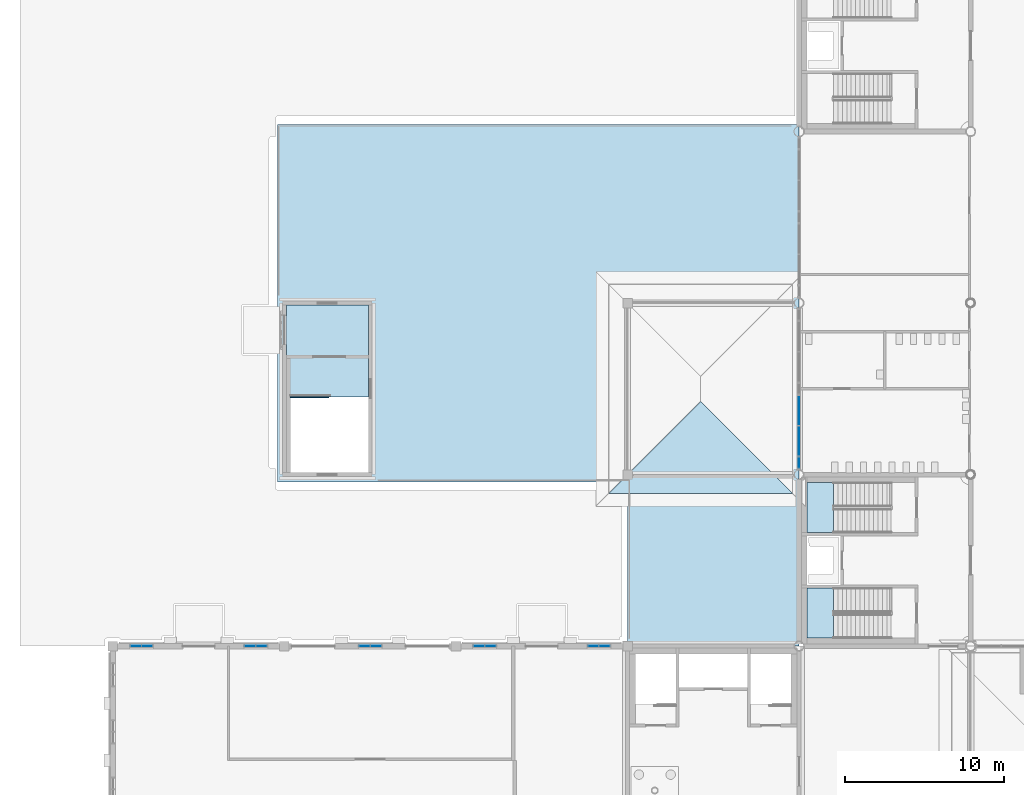
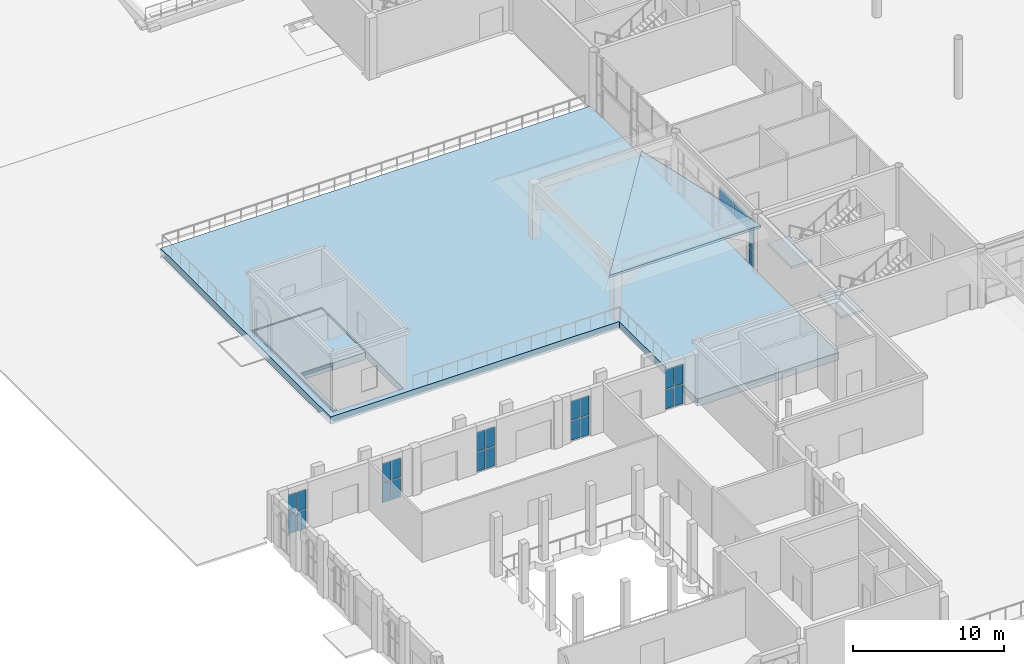
# One storey, part 34 of 91: 25 plates, 6 slabs, 9 elements without a shape of their own.
"""IFC4 building model written with IfcOpenShell, lengths in metres."""

import ifcopenshell
import ifcopenshell.guid

model = None  # the IFC model being written
_history = None  # IfcOwnerHistory: only IFC2X3 demands one
_inside = {}  # id of a spatial element -> (the spatial element, [elements in it])
_under = {}  # id of a project, library or spatial element -> (it, [spatial elements below it])
_declared = {}  # id of a project -> (the project, [libraries it declares])
_typed = {}  # id of a type object -> (the type object, [elements of that type])
_made_of = {}  # id of a material, layer set ... -> (it, [elements and type objects made of it])


def new_model(schema):
    """Start an empty IFC model of exactly this schema.

    Asked for "IFC4X3", IfcOpenShell would pick the latest addendum, in which some entities
    have other attributes; the version numbers below select the first issue.
    IFC2X3 requires an IfcOwnerHistory on every rooted entity: one is made here for all.
    """
    global model, _history
    if schema == "IFC4X3":
        model = ifcopenshell.file(schema_version=(4, 3, 0, 0))
    else:
        model = ifcopenshell.file(schema=schema)
    _inside.clear()
    _under.clear()
    _declared.clear()
    _typed.clear()
    _made_of.clear()
    _history = None
    if model.schema == "IFC2X3":
        org = make("IfcOrganization", Name="unknown")
        user = make(
            "IfcPersonAndOrganization",
            ThePerson=make("IfcPerson", FamilyName="unknown"),
            TheOrganization=org,
        )
        app = make(
            "IfcApplication",
            ApplicationDeveloper=org,
            Version="unknown",
            ApplicationFullName="unknown",
            ApplicationIdentifier="unknown",
        )
        _history = make(
            "IfcOwnerHistory",
            OwningUser=user,
            OwningApplication=app,
            ChangeAction="ADDED",
            CreationDate=0,
        )
    return model


def make(cls, **values):
    """One entity of the class cls with the attributes given. An attribute that is None is left unset."""
    return model.create_entity(
        cls, **{name: value for name, value in values.items() if value is not None}
    )


def rooted(cls, **values):
    """An entity with a GlobalId (a new one), such as an element, a storey or a relation."""
    return make(cls, GlobalId=ifcopenshell.guid.new(), OwnerHistory=_history, **values)


def si_unit(unit_type, name, prefix=None):
    """IfcSIUnit, for example si_unit("LENGTHUNIT", "METRE", prefix="MILLI")."""
    return make("IfcSIUnit", UnitType=unit_type, Prefix=prefix, Name=name)


def assignment(units):
    """IfcUnitAssignment: the units of a project."""
    return None if units is None else make("IfcUnitAssignment", Units=units)


def point(xyz):
    """IfcCartesianPoint."""
    return None if xyz is None else make("IfcCartesianPoint", Coordinates=xyz)


def direction(xyz):
    """IfcDirection."""
    return None if xyz is None else make("IfcDirection", DirectionRatios=xyz)


def frame(location, z_axis=None, x_axis=None):
    """IfcAxis2Placement3D, a coordinate frame: its origin and axes. An axis left out is left unset."""
    return make(
        "IfcAxis2Placement3D",
        Location=point(location),
        Axis=direction(z_axis),
        RefDirection=direction(x_axis),
    )


def frame_2d(location, x_axis=None):
    """IfcAxis2Placement2D, a coordinate frame in the plane: its origin and x axis."""
    return make(
        "IfcAxis2Placement2D", Location=point(location), RefDirection=direction(x_axis)
    )


def origin():
    """The frame at (0, 0, 0) with its axes left unset."""
    return frame((0.0, 0.0, 0.0))


def origin_2d():
    """The frame at (0, 0) in the plane with its x axis left unset."""
    return frame_2d((0.0, 0.0))


def place(relative_to, where):
    """IfcLocalPlacement: puts the frame where relative to a parent placement (None: the world)."""
    return make(
        "IfcLocalPlacement", PlacementRelTo=relative_to, RelativePlacement=where
    )


def context(
    kind, dimensions, precision=None, world=None, true_north=None, identifier=None
):
    """IfcGeometricRepresentationContext, for example the 3D "Model" context."""
    return make(
        "IfcGeometricRepresentationContext",
        ContextIdentifier=identifier,
        ContextType=kind,
        CoordinateSpaceDimension=dimensions,
        Precision=precision,
        WorldCoordinateSystem=world,
        TrueNorth=true_north,
    )


def subcontext(parent, identifier, kind, view, scale=None):
    """IfcGeometricRepresentationSubContext, for example "Body" below "Model"."""
    return make(
        "IfcGeometricRepresentationSubContext",
        ContextIdentifier=identifier,
        ContextType=kind,
        ParentContext=parent,
        TargetScale=scale,
        TargetView=view,
    )


def project(units=None, contexts=None):
    """IfcProject with its units and contexts."""
    return rooted(
        "IfcProject",
        Name="project",
        RepresentationContexts=contexts,
        UnitsInContext=assignment(units),
    )


def spatial(cls, under=None, at=None, **own):
    """A site, building, storey or space (cls), placed at a placement, below another one or the project."""
    s = rooted(cls, ObjectPlacement=at, **own)
    if under is not None:
        _under.setdefault(under.id(), (under, []))[1].append(s)
    return s


def polyline(points):
    """IfcPolyline through the points."""
    return make("IfcPolyline", Points=[point(p) for p in points])


def profile(cls, at=None, kind="AREA", **sizes):
    """A parametric profile (cls). Its sizes go by their IFC names, for example OverallWidth=200.0."""
    return make(cls, ProfileType=kind, Position=at, **sizes)


def rectangle(**sizes):
    """IfcRectangleProfileDef."""
    return profile("IfcRectangleProfileDef", **sizes)


def outline(outer, holes=None, kind="AREA"):
    """IfcArbitraryClosedProfileDef: a profile drawn as a closed curve; with holes, ...WithVoids."""
    if holes is None:
        return make("IfcArbitraryClosedProfileDef", ProfileType=kind, OuterCurve=outer)
    return make(
        "IfcArbitraryProfileDefWithVoids",
        ProfileType=kind,
        OuterCurve=outer,
        InnerCurves=holes,
    )


def extrude(swept, where, along, depth):
    """IfcExtrudedAreaSolid: the profile swept, set in the frame where, extruded along a direction by depth."""
    return make(
        "IfcExtrudedAreaSolid",
        SweptArea=swept,
        Position=where,
        ExtrudedDirection=direction(along),
        Depth=depth,
    )


def shape(context_of_items, identifier, shape_type, items):
    """IfcShapeRepresentation: the items that make up one representation, for example the "Body"."""
    return make(
        "IfcShapeRepresentation",
        ContextOfItems=context_of_items,
        RepresentationIdentifier=identifier,
        RepresentationType=shape_type,
        Items=items,
    )


def material(Name=None, Category=None):
    """IfcMaterial."""
    return make("IfcMaterial", Name=Name, Category=Category)


def layer(
    of_material, thickness, ventilated=None, Name=None, Category=None, Priority=None
):
    """IfcMaterialLayer: one layer of a wall or slab, of a material (None: an air gap)."""
    return make(
        "IfcMaterialLayer",
        Material=of_material,
        LayerThickness=thickness,
        IsVentilated=ventilated,
        Name=Name,
        Category=Category,
        Priority=Priority,
    )


def layer_set(layers, Name=None):
    """IfcMaterialLayerSet."""
    return make("IfcMaterialLayerSet", MaterialLayers=layers, LayerSetName=Name)


def made_of(thing, what):
    """Note that an element or type object is made of a material, layer set ...; save() writes the relation."""
    if what is not None:
        _made_of.setdefault(what.id(), (what, []))[1].append(thing)
    return thing


def type_object(cls, material=None, **own):
    """A type object (cls), such as IfcWallType, which elements share."""
    return made_of(rooted(cls, **own), material)


def element(
    cls,
    number,
    at=None,
    inside=None,
    cuts=None,
    type_object=None,
    material=None,
    context=None,
    identifier="Body",
    shape_type=None,
    held_by="IfcProductDefinitionShape",
    body=None,
    shapes=None,
    **own,
):
    """One element of the class cls, such as IfcWall. Its Tag is "e" and its number.

    at: its placement. inside: the storey or other place that contains it. cuts: it is an
    opening in that element (IfcRelVoidsElement). A single representation is given by context,
    identifier, shape_type and body (its items); several are given by shapes. held_by: the class
    of the entity that holds the representations. save() writes the other relations.
    """
    e = rooted(cls, Tag="e%d" % number, ObjectPlacement=at, **own)
    if body is not None:
        shapes = [shape(context, identifier, shape_type, body)]
    if shapes is not None:
        e.Representation = make(held_by, Representations=shapes)
    if inside is not None:
        _inside.setdefault(inside.id(), (inside, []))[1].append(e)
    if cuts is not None:
        rooted(
            "IfcRelVoidsElement", RelatingBuildingElement=cuts, RelatedOpeningElement=e
        )
    if type_object is not None:
        _typed.setdefault(type_object.id(), (type_object, []))[1].append(e)
    return made_of(e, material)


def aggregate(whole, parts):
    """IfcRelAggregates: a whole, such as a stair, and the parts it consists of."""
    return rooted("IfcRelAggregates", RelatingObject=whole, RelatedObjects=parts)


def save(model, path):
    """Write the relations noted so far, then the file.

    IfcRelAggregates (storeys below a building ...), IfcRelContainedInSpatialStructure (elements
    in a storey), IfcRelDefinesByType, IfcRelAssociatesMaterial and IfcRelDeclares: one each for
    every whole, place, type object, material and project.
    """
    for whole, parts in _under.values():
        aggregate(whole, parts)
    for where, things in _inside.values():
        rooted(
            "IfcRelContainedInSpatialStructure",
            RelatedElements=things,
            RelatingStructure=where,
        )
    for kind, things in _typed.values():
        rooted("IfcRelDefinesByType", RelatedObjects=things, RelatingType=kind)
    for what, things in _made_of.values():
        rooted("IfcRelAssociatesMaterial", RelatedObjects=things, RelatingMaterial=what)
    for by, libraries in _declared.values():
        rooted("IfcRelDeclares", RelatingContext=by, RelatedDefinitions=libraries)
    model.write(path)


model = new_model("IFC4")

# Units and contexts
model_context = context("Model", 3, precision=1e-05, world=origin(), true_north=direction((0.0, 1.0)))
body_context = subcontext(model_context, "Body", "Model", "MODEL_VIEW")
ifc_project = project(units=[si_unit("LENGTHUNIT", "METRE"), si_unit("AREAUNIT", "SQUARE_METRE"), si_unit("VOLUMEUNIT", "CUBIC_METRE"), si_unit("PLANEANGLEUNIT", "RADIAN"), si_unit("MASSUNIT", "GRAM", prefix="KILO")], contexts=[model_context])

# Site, building, storey
site_placement = place(None, origin())
site = spatial("IfcSite", under=ifc_project, at=site_placement, CompositionType="ELEMENT")
building_placement = place(site_placement, origin())
building = spatial("IfcBuilding", under=site, at=building_placement, Name="Magnolia Steps Interchange", CompositionType="ELEMENT")
storey_placement = place(building_placement, origin())
storey = spatial("IfcBuildingStorey", under=building, at=storey_placement, Name="L00", CompositionType="ELEMENT", Elevation=0.0)

# Slabs
ifc_material_1 = material(Name="Concrete C35", Category="concrete")
ifc_layer_1 = layer(ifc_material_1, 0.199951171875)
ifc_layer_set_1 = layer_set([ifc_layer_1], Name="Core floor nib 200")
slab_type_1 = type_object("IfcSlabType", Name="Core floor nib 200", PredefinedType="FLOOR", material=ifc_layer_set_1)
slab_1_placement = place(storey_placement, frame((0.0, 0.0, -0.199951171875)))
element("IfcSlab", 1, at=slab_1_placement, inside=storey, type_object=slab_type_1, Name="L00 core floor nib BE-W", PredefinedType="FLOOR", context=body_context, shape_type="SweptSolid", body=[
    extrude(outline(polyline([(23.574951171875, 58.14501953125), (23.574951171875, 58.02490234375), (21.175048828125, 58.02490234375), (21.175048828125, 58.14501953125), (23.574951171875, 58.14501953125)])), origin(), (0.0, 0.0, 1.0), 0.199951171875),
])
ifc_material_2 = material(Name="Concrete C35", Category="concrete")
ifc_layer_2 = layer(ifc_material_2, 0.60009765625)
ifc_layer_set_2 = layer_set([ifc_layer_2], Name="Core floor slab 600")
slab_type_2 = type_object("IfcSlabType", Name="Core floor slab 600", PredefinedType="FLOOR", material=ifc_layer_set_2)
slab_2_placement = place(storey_placement, frame((0.0, 0.0, -0.60009765625)))
element("IfcSlab", 2, at=slab_2_placement, inside=storey, type_object=slab_type_2, Name="L00 core floor BE-W", PredefinedType="FLOOR", context=body_context, shape_type="SweptSolid", body=[
    extrude(outline(polyline([(20.925048828125, 63.875), (26.074951171875, 63.875), (26.074951171875, 58.074951171875), (23.574951171875, 58.074951171875), (23.574951171875, 58.14501953125), (21.175048828125, 58.14501953125), (21.175048828125, 53.324951171875), (20.925048828125, 53.324951171875), (20.925048828125, 63.875)])), origin(), (0.0, 0.0, 1.0), 0.60009765625),
])

# Stair, slab
ifc_material_3 = material(Name="Concrete C40", Category="concrete")
stair_type = type_object("IfcStairType", Name="Exit stair 1500", PredefinedType="HALF_TURN_STAIR", material=ifc_material_3)
stair_1_placement = place(storey_placement, origin())
stair_1 = element("IfcStair", 3, at=stair_1_placement, inside=storey, type_object=stair_type, Name="L00 Stair 5", PredefinedType="HALF_TURN_STAIR")
ifc_material_4 = material(Name="Concrete C40", Category="concrete")
ifc_layer_3 = layer(ifc_material_4, 0.199951171875)
ifc_layer_set_3 = layer_set([ifc_layer_3], Name="Exit stair landing 200")
slab_type_3 = type_object("IfcSlabType", Name="Exit stair landing 200", PredefinedType="LANDING", material=ifc_layer_set_3)
slab_3_placement = place(storey_placement, frame((0.0, 0.0, 2.199951171875)))
slab_3 = element("IfcSlab", 4, at=slab_3_placement, type_object=slab_type_3, Name="Stair 5 landing 1", PredefinedType="LANDING", context=body_context, shape_type="SweptSolid", body=[
    extrude(outline(polyline([(55.360107421875, 46.050048828125), (53.699951171875, 46.050048828125), (53.699951171875, 42.89990234375), (55.360107421875, 42.89990234375), (55.360107421875, 46.050048828125)])), origin(), (0.0, 0.0, 1.0), 0.199951171875),
])
aggregate(stair_1, [slab_3])

stair_2_placement = place(storey_placement, origin())
stair_2 = element("IfcStair", 5, at=stair_2_placement, inside=storey, type_object=stair_type, Name="L00 Stair 6", PredefinedType="HALF_TURN_STAIR")
slab_4_placement = place(storey_placement, frame((0.0, 0.0, 2.199951171875)))
slab_4 = element("IfcSlab", 6, at=slab_4_placement, type_object=slab_type_3, Name="Stair 6 landing 1", PredefinedType="LANDING", context=body_context, shape_type="SweptSolid", body=[
    extrude(outline(polyline([(55.360107421875, 52.699951171875), (53.699951171875, 52.699951171875), (53.699951171875, 49.550048828125), (55.360107421875, 49.550048828125), (55.360107421875, 52.699951171875)])), origin(), (0.0, 0.0, 1.0), 0.199951171875),
])
aggregate(stair_2, [slab_4])

# Slab
ifc_material_5 = material(Name="Concrete C40", Category="concrete")
ifc_layer_4 = layer(ifc_material_5, 0.60009765625)
ifc_layer_set_4 = layer_set([ifc_layer_4], Name="Floor slab 600")
slab_type_4 = type_object("IfcSlabType", Name="Floor slab 600", PredefinedType="FLOOR", material=ifc_layer_set_4)
slab_5_placement = place(storey_placement, frame((0.0, 0.0, -0.60009765625)))
element("IfcSlab", 7, at=slab_5_placement, inside=storey, type_object=slab_type_4, Name="Plinth slab", PredefinedType="FLOOR", context=body_context, shape_type="SweptSolid", body=[
    extrude(outline(polyline([(42.39990234375, 42.39990234375), (53.199951171875, 42.39990234375), (53.199951171875, 75.25), (20.35009765625, 75.25), (20.35009765625, 52.75), (42.39990234375, 52.75), (42.39990234375, 42.39990234375)]), holes=[polyline([(20.800048828125, 64.0), (20.800048828125, 53.199951171875), (26.199951171875, 53.199951171875), (26.199951171875, 64.0), (20.800048828125, 64.0)])]), origin(), (0.0, 0.0, 1.0), 0.60009765625),
])

# Curtain wall, plates
ifc_material_6 = material(Name="Powder-coated aluminium and glass", Category="aluminium")
ifc_layer_5 = layer(ifc_material_6, 0.14990234375)
ifc_layer_set_5 = layer_set([ifc_layer_5], Name="Glazed hall curtain wall")
curtain_wall_type_1 = type_object("IfcCurtainWallType", Name="Glazed hall curtain wall", PredefinedType="NOTDEFINED", material=ifc_layer_set_5)
curtain_wall_1_placement = place(storey_placement, origin())
curtain_wall_1 = element("IfcCurtainWall", 8, at=curtain_wall_1_placement, inside=storey, type_object=curtain_wall_type_1, Name="Hall glazing W2a L00", PredefinedType="NOTDEFINED")
ifc_material_7 = material(Name="Laminated glass", Category="glass")
ifc_layer_6 = layer(ifc_material_7, 0.028076171875)
ifc_layer_set_6 = layer_set([ifc_layer_6], Name="Glass panel 28")
plate_type = type_object("IfcPlateType", Name="Glass panel 28", PredefinedType="CURTAIN_PANEL", material=ifc_layer_set_6)
plate_1_placement = place(storey_placement, frame((53.199951171875, 53.93994140625, 0.06005859375), z_axis=(0.0, 0.0, 1.0), x_axis=(0.0, 1.0, 0.0)))
plate_1 = element("IfcPlate", 9, at=plate_1_placement, type_object=plate_type, Name="CW1 panel 1.1", PredefinedType="CURTAIN_PANEL", context=body_context, shape_type="SweptSolid", body=[
    extrude(rectangle(XDim=0.639892578125, YDim=0.028076171875, at=origin_2d()), origin(), (0.0, 0.0, 1.0), 1.2099609375),
])
plate_2_placement = place(storey_placement, frame((53.199951171875, 53.93994140625, 1.330078125), z_axis=(0.0, 0.0, 1.0), x_axis=(0.0, 1.0, 0.0)))
plate_2 = element("IfcPlate", 10, at=plate_2_placement, type_object=plate_type, Name="CW1 panel 1.2", PredefinedType="CURTAIN_PANEL", context=body_context, shape_type="SweptSolid", body=[
    extrude(rectangle(XDim=0.639892578125, YDim=0.028076171875, at=origin_2d()), origin(), (0.0, 0.0, 1.0), 1.239990234375),
])
plate_3_placement = place(storey_placement, frame((53.199951171875, 53.93994140625, 2.630126953125), z_axis=(0.0, 0.0, 1.0), x_axis=(0.0, 1.0, 0.0)))
plate_3 = element("IfcPlate", 11, at=plate_3_placement, type_object=plate_type, Name="CW1 panel 1.3", PredefinedType="CURTAIN_PANEL", context=body_context, shape_type="SweptSolid", body=[
    extrude(rectangle(XDim=0.639892578125, YDim=0.028076171875, at=origin_2d()), origin(), (0.0, 0.0, 1.0), 1.2099609375),
])
aggregate(curtain_wall_1, [plate_1, plate_2, plate_3])

curtain_wall_2_placement = place(storey_placement, origin())
curtain_wall_2 = element("IfcCurtainWall", 12, at=curtain_wall_2_placement, inside=storey, type_object=curtain_wall_type_1, Name="Hall entrance fanlight W2-1", PredefinedType="NOTDEFINED")
plate_4_placement = place(storey_placement, frame((53.199951171875, 55.31005859375, 2.66015625), z_axis=(0.0, 0.0, 1.0), x_axis=(0.0, 1.0, 0.0)))
plate_4 = element("IfcPlate", 13, at=plate_4_placement, type_object=plate_type, Name="CW1 panel 1.1", PredefinedType="CURTAIN_PANEL", context=body_context, shape_type="SweptSolid", body=[
    extrude(rectangle(XDim=1.860107421875, YDim=0.028076171875, at=origin_2d()), origin(), (0.0, 0.0, 1.0), 1.179931640625),
])
plate_5_placement = place(storey_placement, frame((53.199951171875, 57.22998046875, 2.66015625), z_axis=(0.0, 0.0, 1.0), x_axis=(0.0, 1.0, 0.0)))
plate_5 = element("IfcPlate", 14, at=plate_5_placement, type_object=plate_type, Name="CW1 panel 2.1", PredefinedType="CURTAIN_PANEL", context=body_context, shape_type="SweptSolid", body=[
    extrude(rectangle(XDim=1.860107421875, YDim=0.028076171875, at=origin_2d()), origin(), (0.0, 0.0, 1.0), 1.179931640625),
])
aggregate(curtain_wall_2, [plate_4, plate_5])

ifc_material_8 = material(Name="Timber-framed glazing", Category="wood")
ifc_layer_7 = layer(ifc_material_8, 0.139892578125)
ifc_layer_set_7 = layer_set([ifc_layer_7], Name="Cycle hub shopfront curtain wall")
curtain_wall_type_2 = type_object("IfcCurtainWallType", Name="Cycle hub shopfront curtain wall", PredefinedType="NOTDEFINED", material=ifc_layer_set_7)
curtain_wall_3_placement = place(storey_placement, origin())
curtain_wall_3 = element("IfcCurtainWall", 15, at=curtain_wall_3_placement, inside=storey, type_object=curtain_wall_type_2, Name="Cycle hub north wall L00 glazing 2", PredefinedType="NOTDEFINED")
plate_6_placement = place(storey_placement, frame((11.43994140625, 42.39990234375, 0.06005859375), z_axis=(0.0, 0.0, 1.0), x_axis=(1.0, 0.0, 0.0)))
plate_6 = element("IfcPlate", 16, at=plate_6_placement, type_object=plate_type, Name="CW7 panel 1.1", PredefinedType="CURTAIN_PANEL", context=body_context, shape_type="SweptSolid", body=[
    extrude(rectangle(XDim=0.659912109375, YDim=0.028076171875, at=origin_2d()), origin(), (0.0, 0.0, 1.0), 1.56005859375),
])
plate_7_placement = place(storey_placement, frame((11.43994140625, 42.39990234375, 1.679931640625), z_axis=(0.0, 0.0, 1.0), x_axis=(1.0, 0.0, 0.0)))
plate_7 = element("IfcPlate", 17, at=plate_7_placement, type_object=plate_type, Name="CW7 panel 1.2", PredefinedType="CURTAIN_PANEL", context=body_context, shape_type="SweptSolid", body=[
    extrude(rectangle(XDim=0.659912109375, YDim=0.028076171875, at=origin_2d()), origin(), (0.0, 0.0, 1.0), 1.56005859375),
])
plate_8_placement = place(storey_placement, frame((12.159912109375, 42.39990234375, 0.06005859375), z_axis=(0.0, 0.0, 1.0), x_axis=(1.0, 0.0, 0.0)))
plate_8 = element("IfcPlate", 18, at=plate_8_placement, type_object=plate_type, Name="CW7 panel 2.1", PredefinedType="CURTAIN_PANEL", context=body_context, shape_type="SweptSolid", body=[
    extrude(rectangle(XDim=0.659912109375, YDim=0.028076171875, at=origin_2d()), origin(), (0.0, 0.0, 1.0), 1.56005859375),
])
plate_9_placement = place(storey_placement, frame((12.159912109375, 42.39990234375, 1.679931640625), z_axis=(0.0, 0.0, 1.0), x_axis=(1.0, 0.0, 0.0)))
plate_9 = element("IfcPlate", 19, at=plate_9_placement, type_object=plate_type, Name="CW7 panel 2.2", PredefinedType="CURTAIN_PANEL", context=body_context, shape_type="SweptSolid", body=[
    extrude(rectangle(XDim=0.659912109375, YDim=0.028076171875, at=origin_2d()), origin(), (0.0, 0.0, 1.0), 1.56005859375),
])
aggregate(curtain_wall_3, [plate_6, plate_7, plate_8, plate_9])

curtain_wall_4_placement = place(storey_placement, origin())
curtain_wall_4 = element("IfcCurtainWall", 20, at=curtain_wall_4_placement, inside=storey, type_object=curtain_wall_type_2, Name="Cycle hub north wall L00 glazing 4", PredefinedType="NOTDEFINED")
plate_10_placement = place(storey_placement, frame((18.639892578125, 42.39990234375, 0.06005859375), z_axis=(0.0, 0.0, 1.0), x_axis=(1.0, 0.0, 0.0)))
plate_10 = element("IfcPlate", 21, at=plate_10_placement, type_object=plate_type, Name="CW7 panel 1.1", PredefinedType="CURTAIN_PANEL", context=body_context, shape_type="SweptSolid", body=[
    extrude(rectangle(XDim=0.659912109375, YDim=0.028076171875, at=origin_2d()), origin(), (0.0, 0.0, 1.0), 1.56005859375),
])
plate_11_placement = place(storey_placement, frame((18.639892578125, 42.39990234375, 1.679931640625), z_axis=(0.0, 0.0, 1.0), x_axis=(1.0, 0.0, 0.0)))
plate_11 = element("IfcPlate", 22, at=plate_11_placement, type_object=plate_type, Name="CW7 panel 1.2", PredefinedType="CURTAIN_PANEL", context=body_context, shape_type="SweptSolid", body=[
    extrude(rectangle(XDim=0.659912109375, YDim=0.028076171875, at=origin_2d()), origin(), (0.0, 0.0, 1.0), 1.56005859375),
])
plate_12_placement = place(storey_placement, frame((19.360107421875, 42.39990234375, 0.06005859375), z_axis=(0.0, 0.0, 1.0), x_axis=(1.0, 0.0, 0.0)))
plate_12 = element("IfcPlate", 23, at=plate_12_placement, type_object=plate_type, Name="CW7 panel 2.1", PredefinedType="CURTAIN_PANEL", context=body_context, shape_type="SweptSolid", body=[
    extrude(rectangle(XDim=0.659912109375, YDim=0.028076171875, at=origin_2d()), origin(), (0.0, 0.0, 1.0), 1.56005859375),
])
plate_13_placement = place(storey_placement, frame((19.360107421875, 42.39990234375, 1.679931640625), z_axis=(0.0, 0.0, 1.0), x_axis=(1.0, 0.0, 0.0)))
plate_13 = element("IfcPlate", 24, at=plate_13_placement, type_object=plate_type, Name="CW7 panel 2.2", PredefinedType="CURTAIN_PANEL", context=body_context, shape_type="SweptSolid", body=[
    extrude(rectangle(XDim=0.659912109375, YDim=0.028076171875, at=origin_2d()), origin(), (0.0, 0.0, 1.0), 1.56005859375),
])
aggregate(curtain_wall_4, [plate_10, plate_11, plate_12, plate_13])

curtain_wall_5_placement = place(storey_placement, origin())
curtain_wall_5 = element("IfcCurtainWall", 25, at=curtain_wall_5_placement, inside=storey, type_object=curtain_wall_type_2, Name="Cycle hub north wall L00 glazing 6", PredefinedType="NOTDEFINED")
plate_14_placement = place(storey_placement, frame((25.840087890625, 42.39990234375, 0.06005859375), z_axis=(0.0, 0.0, 1.0), x_axis=(1.0, 0.0, 0.0)))
plate_14 = element("IfcPlate", 26, at=plate_14_placement, type_object=plate_type, Name="CW7 panel 1.1", PredefinedType="CURTAIN_PANEL", context=body_context, shape_type="SweptSolid", body=[
    extrude(rectangle(XDim=0.659912109375, YDim=0.028076171875, at=origin_2d()), origin(), (0.0, 0.0, 1.0), 1.56005859375),
])
plate_15_placement = place(storey_placement, frame((25.840087890625, 42.39990234375, 1.679931640625), z_axis=(0.0, 0.0, 1.0), x_axis=(1.0, 0.0, 0.0)))
plate_15 = element("IfcPlate", 27, at=plate_15_placement, type_object=plate_type, Name="CW7 panel 1.2", PredefinedType="CURTAIN_PANEL", context=body_context, shape_type="SweptSolid", body=[
    extrude(rectangle(XDim=0.659912109375, YDim=0.028076171875, at=origin_2d()), origin(), (0.0, 0.0, 1.0), 1.56005859375),
])
plate_16_placement = place(storey_placement, frame((26.56005859375, 42.39990234375, 0.06005859375), z_axis=(0.0, 0.0, 1.0), x_axis=(1.0, 0.0, 0.0)))
plate_16 = element("IfcPlate", 28, at=plate_16_placement, type_object=plate_type, Name="CW7 panel 2.1", PredefinedType="CURTAIN_PANEL", context=body_context, shape_type="SweptSolid", body=[
    extrude(rectangle(XDim=0.659912109375, YDim=0.028076171875, at=origin_2d()), origin(), (0.0, 0.0, 1.0), 1.56005859375),
])
plate_17_placement = place(storey_placement, frame((26.56005859375, 42.39990234375, 1.679931640625), z_axis=(0.0, 0.0, 1.0), x_axis=(1.0, 0.0, 0.0)))
plate_17 = element("IfcPlate", 29, at=plate_17_placement, type_object=plate_type, Name="CW7 panel 2.2", PredefinedType="CURTAIN_PANEL", context=body_context, shape_type="SweptSolid", body=[
    extrude(rectangle(XDim=0.659912109375, YDim=0.028076171875, at=origin_2d()), origin(), (0.0, 0.0, 1.0), 1.56005859375),
])
aggregate(curtain_wall_5, [plate_14, plate_15, plate_16, plate_17])

curtain_wall_6_placement = place(storey_placement, origin())
curtain_wall_6 = element("IfcCurtainWall", 30, at=curtain_wall_6_placement, inside=storey, type_object=curtain_wall_type_2, Name="Cycle hub north wall L00 glazing 8", PredefinedType="NOTDEFINED")
plate_18_placement = place(storey_placement, frame((33.0400390625, 42.39990234375, 0.06005859375), z_axis=(0.0, 0.0, 1.0), x_axis=(1.0, 0.0, 0.0)))
plate_18 = element("IfcPlate", 31, at=plate_18_placement, type_object=plate_type, Name="CW7 panel 1.1", PredefinedType="CURTAIN_PANEL", context=body_context, shape_type="SweptSolid", body=[
    extrude(rectangle(XDim=0.659912109375, YDim=0.028076171875, at=origin_2d()), origin(), (0.0, 0.0, 1.0), 1.56005859375),
])
plate_19_placement = place(storey_placement, frame((33.0400390625, 42.39990234375, 1.679931640625), z_axis=(0.0, 0.0, 1.0), x_axis=(1.0, 0.0, 0.0)))
plate_19 = element("IfcPlate", 32, at=plate_19_placement, type_object=plate_type, Name="CW7 panel 1.2", PredefinedType="CURTAIN_PANEL", context=body_context, shape_type="SweptSolid", body=[
    extrude(rectangle(XDim=0.659912109375, YDim=0.028076171875, at=origin_2d()), origin(), (0.0, 0.0, 1.0), 1.56005859375),
])
plate_20_placement = place(storey_placement, frame((33.760009765625, 42.39990234375, 0.06005859375), z_axis=(0.0, 0.0, 1.0), x_axis=(1.0, 0.0, 0.0)))
plate_20 = element("IfcPlate", 33, at=plate_20_placement, type_object=plate_type, Name="CW7 panel 2.1", PredefinedType="CURTAIN_PANEL", context=body_context, shape_type="SweptSolid", body=[
    extrude(rectangle(XDim=0.659912109375, YDim=0.028076171875, at=origin_2d()), origin(), (0.0, 0.0, 1.0), 1.56005859375),
])
plate_21_placement = place(storey_placement, frame((33.760009765625, 42.39990234375, 1.679931640625), z_axis=(0.0, 0.0, 1.0), x_axis=(1.0, 0.0, 0.0)))
plate_21 = element("IfcPlate", 34, at=plate_21_placement, type_object=plate_type, Name="CW7 panel 2.2", PredefinedType="CURTAIN_PANEL", context=body_context, shape_type="SweptSolid", body=[
    extrude(rectangle(XDim=0.659912109375, YDim=0.028076171875, at=origin_2d()), origin(), (0.0, 0.0, 1.0), 1.56005859375),
])
aggregate(curtain_wall_6, [plate_18, plate_19, plate_20, plate_21])

curtain_wall_7_placement = place(storey_placement, origin())
curtain_wall_7 = element("IfcCurtainWall", 35, at=curtain_wall_7_placement, inside=storey, type_object=curtain_wall_type_2, Name="Cycle hub north wall L00 glazing 10", PredefinedType="NOTDEFINED")
plate_22_placement = place(storey_placement, frame((40.239990234375, 42.39990234375, 0.06005859375), z_axis=(0.0, 0.0, 1.0), x_axis=(1.0, 0.0, 0.0)))
plate_22 = element("IfcPlate", 36, at=plate_22_placement, type_object=plate_type, Name="CW7 panel 1.1", PredefinedType="CURTAIN_PANEL", context=body_context, shape_type="SweptSolid", body=[
    extrude(rectangle(XDim=0.659912109375, YDim=0.028076171875, at=origin_2d()), origin(), (0.0, 0.0, 1.0), 1.56005859375),
])
plate_23_placement = place(storey_placement, frame((40.239990234375, 42.39990234375, 1.679931640625), z_axis=(0.0, 0.0, 1.0), x_axis=(1.0, 0.0, 0.0)))
plate_23 = element("IfcPlate", 37, at=plate_23_placement, type_object=plate_type, Name="CW7 panel 1.2", PredefinedType="CURTAIN_PANEL", context=body_context, shape_type="SweptSolid", body=[
    extrude(rectangle(XDim=0.659912109375, YDim=0.028076171875, at=origin_2d()), origin(), (0.0, 0.0, 1.0), 1.56005859375),
])
plate_24_placement = place(storey_placement, frame((40.9599609375, 42.39990234375, 0.06005859375), z_axis=(0.0, 0.0, 1.0), x_axis=(1.0, 0.0, 0.0)))
plate_24 = element("IfcPlate", 38, at=plate_24_placement, type_object=plate_type, Name="CW7 panel 2.1", PredefinedType="CURTAIN_PANEL", context=body_context, shape_type="SweptSolid", body=[
    extrude(rectangle(XDim=0.659912109375, YDim=0.028076171875, at=origin_2d()), origin(), (0.0, 0.0, 1.0), 1.56005859375),
])
plate_25_placement = place(storey_placement, frame((40.9599609375, 42.39990234375, 1.679931640625), z_axis=(0.0, 0.0, 1.0), x_axis=(1.0, 0.0, 0.0)))
plate_25 = element("IfcPlate", 39, at=plate_25_placement, type_object=plate_type, Name="CW7 panel 2.2", PredefinedType="CURTAIN_PANEL", context=body_context, shape_type="SweptSolid", body=[
    extrude(rectangle(XDim=0.659912109375, YDim=0.028076171875, at=origin_2d()), origin(), (0.0, 0.0, 1.0), 1.56005859375),
])
aggregate(curtain_wall_7, [plate_22, plate_23, plate_24, plate_25])

# Slab
ifc_material_9 = material(Name="Concrete C40", Category="concrete")
ifc_layer_8 = layer(ifc_material_9, 0.14990234375)
ifc_layer_set_8 = layer_set([ifc_layer_8], Name="Pavilion roof slab 150")
slab_type_5 = type_object("IfcSlabType", Name="Pavilion roof slab 150", PredefinedType="ROOF", material=ifc_layer_set_8)
slab_6_placement = place(storey_placement, frame((41.199951171875, 52.0, 4.577880859375), z_axis=(0.0, -0.615661421178, 0.788010795912), x_axis=(1.0, 0.0, 0.0)))
element("IfcSlab", 40, at=slab_6_placement, inside=storey, type_object=slab_type_5, Name="Portico roof slab PT-W2 3", PredefinedType="ROOF", context=body_context, shape_type="SweptSolid", body=[
    extrude(outline(polyline([(0.0, 0.0), (11.600097656, 0.0), (5.800048828, 7.360367216), (0.0, 0.0)])), origin(), (0.0, -0.615661421178, -0.788010795912), 0.1904296875),
])

save(model, "model.ifc")
